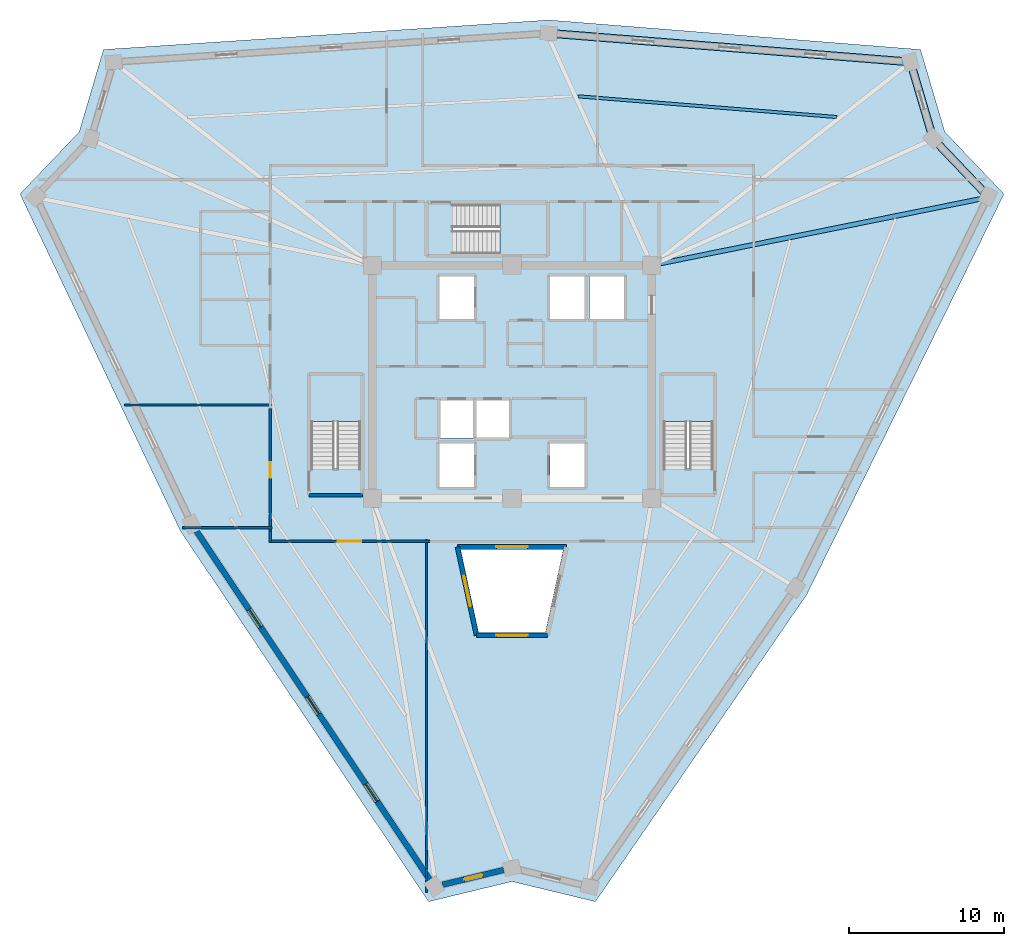
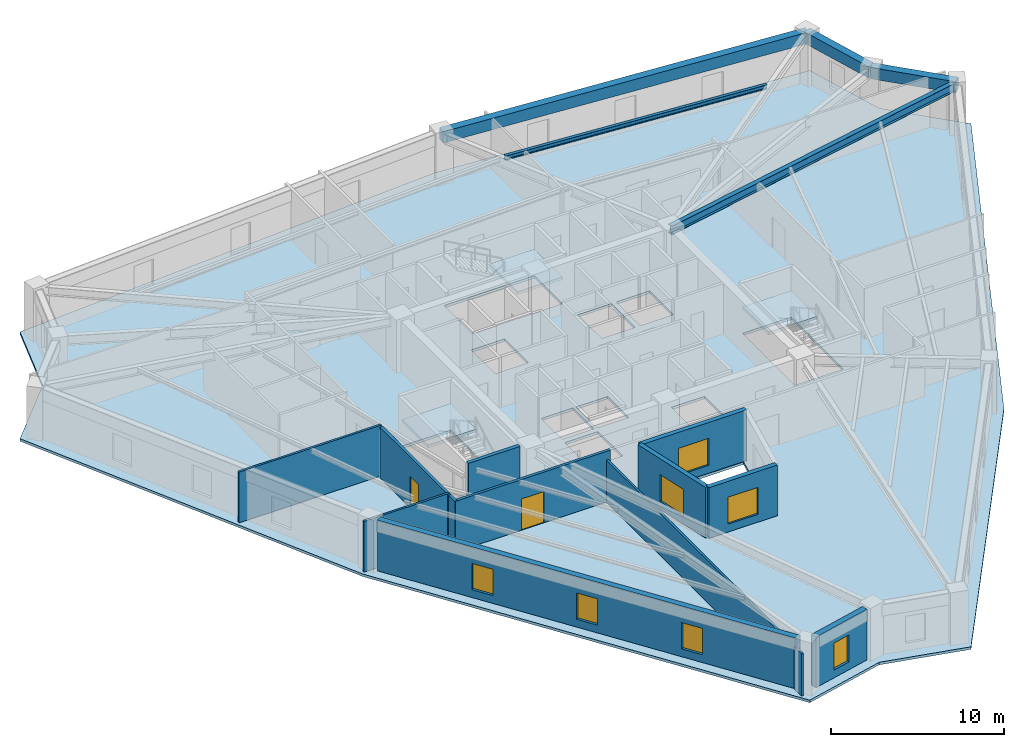
# One storey, part 2 of 8: 12 walls, 7 windows, 5 beams, 4 slabs, 2 doors, 9 openings, 3 elements without a shape of their own.
"""IFC4 building model written with IfcOpenShell, lengths in metres."""

from ifc_helpers import new_model, si_unit, direction, frame, frame_2d, origin, origin_2d, place, context, subcontext, project, spatial, polyline, rectangle, i_section, outline, extrude, source, transform, mapped, material, layer, layer_set, material_profile, profile_set, type_object, element, fill, aggregate, save


model = new_model("IFC4")

# Units and contexts
model_context = context("Model", 3, precision=1e-05, world=origin(), true_north=direction((0.0, 1.0)))
body_context = subcontext(model_context, "Body", "Model", "MODEL_VIEW")
ifc_project = project(units=[si_unit("LENGTHUNIT", "METRE"), si_unit("AREAUNIT", "SQUARE_METRE"), si_unit("VOLUMEUNIT", "CUBIC_METRE"), si_unit("PLANEANGLEUNIT", "RADIAN"), si_unit("MASSUNIT", "GRAM", prefix="KILO")], contexts=[model_context])

# Site, building, storey
site_placement = place(None, origin())
site = spatial("IfcSite", under=ifc_project, at=site_placement, CompositionType="ELEMENT")
building_placement = place(site_placement, origin())
building = spatial("IfcBuilding", under=site, at=building_placement, Name="Liaohun Quay Tower", CompositionType="ELEMENT")
storey_placement = place(building_placement, frame((0.0, 0.0, 294.0)))
storey = spatial("IfcBuildingStorey", under=building, at=storey_placement, Name="L76", CompositionType="ELEMENT", Elevation=294.0)

# Beams
ifc_material_1 = material(Name="Precast concrete C50", Category="concrete")
ifc_material_profile_1 = material_profile(ifc_material_1, rectangle(XDim=0.5, YDim=0.800048828125, at=origin_2d()), Name="RC500x800")
ifc_profile_set_1 = profile_set([ifc_material_profile_1], Name="Precast concrete C50")
beam_type_1 = type_object("IfcBeamType", Name="BM-SPD-Z4", PredefinedType="SPANDREL", material=ifc_profile_set_1)
shared_shape_1 = source(origin(), body_context, "Body", "SweptSolid", [
    extrude(rectangle(XDim=0.5, YDim=0.800048828125, at=origin_2d()), origin(), (0.0, 0.0, 1.0), 23.354248046875),
])
beam_1_placement = place(storey_placement, frame((62.360107421875, 76.427001953125, 3.169921875), z_axis=(0.99686058787, -0.079176817002, 0.0), x_axis=(0.079176817002, 0.99686058787, 0.0)))
element("IfcBeam", 1, at=beam_1_placement, inside=storey, type_object=beam_type_1, Name="L76 Precast Spandrel Beam PC06-PC07", PredefinedType="SPANDREL", context=body_context, shape_type="MappedRepresentation", body=[
    mapped(shared_shape_1, transform((0.0, 0.0, 0.0), x_axis=(1.0, 0.0, 0.0), y_axis=(0.0, 1.0, 0.0), z_axis=(0.0, 0.0, 1.0), scale=1.0)),
])
shared_shape_2 = source(origin(), body_context, "Body", "SweptSolid", [
    extrude(rectangle(XDim=0.5, YDim=0.800048828125, at=origin_2d()), origin(), (0.0, 0.0, 1.0), 5.143798828125),
])
beam_2_placement = place(storey_placement, frame((85.64111328125, 74.577880859375, 3.169921875), z_axis=(0.282829220503, -0.959170283125, 0.0), x_axis=(0.959170283125, 0.282829220503, 0.0)))
element("IfcBeam", 2, at=beam_2_placement, inside=storey, type_object=beam_type_1, Name="L76 Precast Spandrel Beam PC07-PC08", PredefinedType="SPANDREL", context=body_context, shape_type="MappedRepresentation", body=[
    mapped(shared_shape_2, transform((0.0, 0.0, 0.0), x_axis=(1.0, 0.0, 0.0), y_axis=(0.0, 1.0, 0.0), z_axis=(0.0, 0.0, 1.0), scale=1.0)),
])
shared_shape_3 = source(origin(), body_context, "Body", "SweptSolid", [
    extrude(rectangle(XDim=0.5, YDim=0.800048828125, at=origin_2d()), origin(), (0.0, 0.0, 1.0), 5.136474609375),
])
beam_3_placement = place(storey_placement, frame((87.095947265625, 69.64404296875, 3.169921875), z_axis=(0.689375027306, -0.724404632596, 0.0), x_axis=(0.724404632596, 0.689375027306, 0.0)))
element("IfcBeam", 3, at=beam_3_placement, inside=storey, type_object=beam_type_1, Name="L76 Precast Spandrel Beam PC08-PC09", PredefinedType="SPANDREL", context=body_context, shape_type="MappedRepresentation", body=[
    mapped(shared_shape_3, transform((0.0, 0.0, 0.0), x_axis=(1.0, 0.0, 0.0), y_axis=(0.0, 1.0, 0.0), z_axis=(0.0, 0.0, 1.0), scale=1.0)),
])
ifc_material_2 = material(Name="Steel Q355D", Category="steel")
ifc_material_profile_2 = material_profile(ifc_material_2, i_section(OverallWidth=0.300048828125, OverallDepth=0.587890625, WebThickness=0.011962890625, FlangeThickness=0.02001953125, at=origin_2d()), Name="HM588x300x12x20")
ifc_profile_set_2 = profile_set([ifc_material_profile_2], Name="Steel Q355D")
beam_type_2 = type_object("IfcBeamType", Name="BM-RAD-U2", PredefinedType="BEAM", material=ifc_profile_set_2)
shared_shape_4 = source(origin(), body_context, "Body", "SweptSolid", [
    extrude(i_section(OverallWidth=0.300048828125, OverallDepth=0.587890625, WebThickness=0.011962890625, FlangeThickness=0.02001953125, at=origin_2d()), origin(), (0.0, 0.0, 1.0), 21.7431640625),
])
beam_4_placement = place(storey_placement, frame((69.0, 61.5, 3.27587890625), z_axis=(0.980258491169, 0.197720232881, 0.0), x_axis=(-0.197720232881, 0.980258491169, 0.0)))
element("IfcBeam", 4, at=beam_4_placement, inside=storey, type_object=beam_type_2, Name="L76 Radial Primary Girder CC4-PC09", PredefinedType="BEAM", context=body_context, shape_type="MappedRepresentation", body=[
    mapped(shared_shape_4, transform((0.0, 0.0, 0.0), x_axis=(1.0, 0.0, 0.0), y_axis=(0.0, 1.0, 0.0), z_axis=(0.0, 0.0, 1.0), scale=1.0)),
])
ifc_material_profile_3 = material_profile(ifc_material_2, i_section(OverallWidth=0.199951171875, OverallDepth=0.2939453125, WebThickness=0.008056640625, FlangeThickness=0.011962890625, at=origin_2d()), Name="HM294x200x8x12")
ifc_profile_set_3 = profile_set([ifc_material_profile_3], Name="Steel Q355D")
beam_type_3 = type_object("IfcBeamType", Name="BM-SEC-J4", PredefinedType="JOIST", material=ifc_profile_set_3)
shared_shape_5 = source(origin(), body_context, "Body", "SweptSolid", [
    extrude(i_section(OverallWidth=0.199951171875, OverallDepth=0.2939453125, WebThickness=0.008056640625, FlangeThickness=0.011962890625, at=origin_2d()), origin(), (0.0, 0.0, 1.0), 16.709228515625),
])
beam_5_placement = place(storey_placement, frame((64.239990234375, 72.368896484375, 3.423095703125), z_axis=(0.996808119999, -0.079834653528, 0.0), x_axis=(0.079834653528, 0.996808119999, 0.0)))
element("IfcBeam", 5, at=beam_5_placement, inside=storey, type_object=beam_type_3, Name="L76 Wing Secondary Floor Joist SJ-09", PredefinedType="JOIST", context=body_context, shape_type="MappedRepresentation", body=[
    mapped(shared_shape_5, transform((0.0, 0.0, 0.0), x_axis=(1.0, 0.0, 0.0), y_axis=(0.0, 1.0, 0.0), z_axis=(0.0, 0.0, 1.0), scale=1.0)),
])

# Stair, slab
ifc_material_3 = material(Name="Concrete C45", Category="concrete")
stair_type = type_object("IfcStairType", Name="STR-CORE-OFF", PredefinedType="HALF_TURN_STAIR", material=ifc_material_3)
stair_1_placement = place(storey_placement, origin())
stair_1 = element("IfcStair", 6, at=stair_1_placement, inside=storey, type_object=stair_type, Name="L76 Smokeproof Core Exit Stair ST-1", PredefinedType="HALF_TURN_STAIR")
ifc_layer_1 = layer(ifc_material_3, 0.199951171875, Name="Concrete C45", Category="concrete")
ifc_layer_set_1 = layer_set([ifc_layer_1], Name="Concrete C45")
slab_type_1 = type_object("IfcSlabType", Name="SLB-LND-200", PredefinedType="LANDING", material=ifc_layer_set_1)
slab_1_placement = place(storey_placement, frame((0.0, 0.0, 1.675048828125)))
slab_1 = element("IfcSlab", 7, at=slab_1_placement, type_object=slab_type_1, Name="ST-1 landing 1", PredefinedType="LANDING", context=body_context, shape_type="SweptSolid", body=[
    extrude(outline(polyline([(50.280029296875, 51.429931640625), (50.280029296875, 54.419921875), (47.0400390625, 54.419921875), (47.0400390625, 51.429931640625), (50.280029296875, 51.429931640625)])), origin(), (0.0, 0.0, 1.0), 0.199951171875),
])
aggregate(stair_1, [slab_1])

stair_2_placement = place(storey_placement, origin())
stair_2 = element("IfcStair", 8, at=stair_2_placement, inside=storey, type_object=stair_type, Name="L76 Smokeproof Core Exit Stair ST-2", PredefinedType="HALF_TURN_STAIR")
slab_2_placement = place(storey_placement, frame((0.0, 0.0, 1.675048828125)))
slab_2 = element("IfcSlab", 9, at=slab_2_placement, type_object=slab_type_1, Name="ST-2 landing 1", PredefinedType="LANDING", context=body_context, shape_type="SweptSolid", body=[
    extrude(outline(polyline([(72.9599609375, 51.429931640625), (72.9599609375, 54.419921875), (69.719970703125, 54.419921875), (69.719970703125, 51.429931640625), (72.9599609375, 51.429931640625)])), origin(), (0.0, 0.0, 1.0), 0.199951171875),
])
aggregate(stair_2, [slab_2])

stair_3_placement = place(storey_placement, origin())
stair_3 = element("IfcStair", 10, at=stair_3_placement, inside=storey, type_object=stair_type, Name="L76 Smokeproof Core Exit Stair ST-3", PredefinedType="HALF_TURN_STAIR")
slab_3_placement = place(storey_placement, frame((0.0, 0.0, 1.675048828125)))
slab_3 = element("IfcSlab", 11, at=slab_3_placement, type_object=slab_type_1, Name="ST-3 landing 1", PredefinedType="LANDING", context=body_context, shape_type="SweptSolid", body=[
    extrude(outline(polyline([(59.22998046875, 62.199951171875), (62.219970703125, 62.199951171875), (62.219970703125, 65.43994140625), (59.22998046875, 65.43994140625), (59.22998046875, 62.199951171875)])), origin(), (0.0, 0.0, 1.0), 0.199951171875),
])
aggregate(stair_3, [slab_3])

# Slab
ifc_layer_2 = layer(ifc_material_3, 0.179931640625, Name="Concrete C45", Category="concrete")
ifc_layer_set_2 = layer_set([ifc_layer_2], Name="Concrete C45")
slab_type_2 = type_object("IfcSlabType", Name="SLB-OFF-180", PredefinedType="FLOOR", material=ifc_layer_set_2)
slab_4_placement = place(storey_placement, frame((0.0, 0.0, -0.179931640625)))
element("IfcSlab", 12, at=slab_4_placement, inside=storey, type_object=slab_type_2, Name="L76 Structural Floor Slab", PredefinedType="FLOOR", context=body_context, shape_type="SweptSolid", body=[
    extrude(outline(polyline([(54.631103515625, 20.5419921875), (60.0, 21.837890625), (65.368896484375, 20.5419921875), (78.97705078125, 40.31103515625), (91.660888671875, 66.0791015625), (87.85302734375, 70.0810546875), (86.291015625, 75.37890625), (62.365966796875, 77.279052734375), (33.708984375, 75.37890625), (32.14697265625, 70.0810546875), (28.339111328125, 66.0791015625), (38.656005859375, 44.409912109375), (54.631103515625, 20.5419921875)]), holes=[polyline([(57.56005859375, 50.030029296875), (55.340087890625, 50.030029296875), (55.340087890625, 47.2099609375), (57.56005859375, 47.2099609375), (57.56005859375, 50.030029296875)]), polyline([(47.0400390625, 54.419921875), (47.0400390625, 48.409912109375), (50.280029296875, 48.409912109375), (50.280029296875, 54.419921875), (47.0400390625, 54.419921875)]), polyline([(57.510009765625, 52.81005859375), (55.389892578125, 52.81005859375), (55.389892578125, 50.389892578125), (57.510009765625, 50.389892578125), (57.510009765625, 52.81005859375)]), polyline([(59.81005859375, 50.389892578125), (59.81005859375, 52.81005859375), (57.68994140625, 52.81005859375), (57.68994140625, 50.389892578125), (59.81005859375, 50.389892578125)]), polyline([(57.56005859375, 58.0400390625), (57.56005859375, 60.7900390625), (55.340087890625, 60.7900390625), (55.340087890625, 58.0400390625), (57.56005859375, 58.0400390625)]), polyline([(62.219970703125, 65.43994140625), (56.2099609375, 65.43994140625), (56.2099609375, 62.199951171875), (62.219970703125, 62.199951171875), (62.219970703125, 65.43994140625)]), polyline([(62.14599609375, 37.85498046875), (63.301025390625, 43.199951171875), (56.698974609375, 43.199951171875), (57.85400390625, 37.85498046875), (62.14599609375, 37.85498046875)]), polyline([(64.659912109375, 47.2099609375), (64.659912109375, 50.030029296875), (62.43994140625, 50.030029296875), (62.43994140625, 47.2099609375), (64.659912109375, 47.2099609375)]), polyline([(69.719970703125, 54.419921875), (69.719970703125, 48.409912109375), (72.9599609375, 48.409912109375), (72.9599609375, 54.419921875), (69.719970703125, 54.419921875)]), polyline([(64.659912109375, 58.0400390625), (64.659912109375, 60.7900390625), (62.43994140625, 60.7900390625), (62.43994140625, 58.0400390625), (64.659912109375, 58.0400390625)]), polyline([(67.2099609375, 58.0400390625), (67.2099609375, 60.7900390625), (64.989990234375, 60.7900390625), (64.989990234375, 58.0400390625), (67.2099609375, 58.0400390625)])]), origin(), (0.0, 0.0, 1.0), 0.179931640625),
])

# Wall, opening, window
ifc_material_4 = material(Name="Concrete C50", Category="concrete")
ifc_layer_3 = layer(ifc_material_4, 0.300048828125, Name="Concrete C50", Category="concrete")
ifc_layer_set_3 = layer_set([ifc_layer_3], Name="Concrete C50")
wall_type_1 = type_object("IfcWallType", Name="WAL-ATR-300", PredefinedType="SOLIDWALL", material=ifc_layer_set_3)
wall_1_placement = place(storey_placement, frame((57.717041015625, 37.68505859375, 0.0), z_axis=(0.0, 0.0, 1.0), x_axis=(-0.211300278916, 0.977421194844, 0.0)))
wall_1 = element("IfcWall", 13, at=wall_1_placement, inside=storey, type_object=wall_type_1, Name="L76 Atrium Fire Compartment Wall 1", PredefinedType="SOLIDWALL", context=body_context, shape_type="SweptSolid", body=[
    extrude(rectangle(XDim=5.81640625, YDim=0.300048828125, at=frame_2d((2.908203125, 0.0))), origin(), (0.0, 0.0, 1.0), 3.570068359375),
])
shared_shape_6 = source(origin(), body_context, "Body", "SweptSolid", [
    extrude(rectangle(XDim=2.0, YDim=1.89990234375, at=frame_2d((1.0, 0.949951171875))), frame((0.0, 0.159912109375, 0.0), z_axis=(0.0, -1.0, 0.0), x_axis=(1.0, 0.0, 0.0)), (0.0, 0.0, 1.0), 0.320068359375),
])
opening_1_placement = place(wall_1_placement, frame((1.907958984375, 0.0, 0.550048828125)))
opening_1 = element("IfcOpeningElement", 14, at=opening_1_placement, cuts=wall_1, Name="Opening W07", PredefinedType="OPENING", context=body_context, shape_type="MappedRepresentation", body=[
    mapped(shared_shape_6, transform((0.0, 0.0, 0.0), x_axis=(1.0, 0.0, 0.0), y_axis=(0.0, 1.0, 0.0), z_axis=(0.0, 0.0, 1.0), scale=1.0)),
])
ifc_material_5 = material(Name="Class A 180-min fire-resistant insulated glazing", Category="glass")
window_type_1 = type_object("IfcWindowType", Name="WIN-ATR-FIR", PartitioningType="DOUBLE_PANEL_VERTICAL", PredefinedType="WINDOW", material=ifc_material_5)
shared_shape_7 = source(origin(), body_context, "Body", "SweptSolid", [
    extrude(rectangle(XDim=2.0, YDim=1.89990234375, at=frame_2d((1.0, 0.949951171875))), frame((0.0, 0.030029296875, 0.0), z_axis=(0.0, -1.0, 0.0), x_axis=(1.0, 0.0, 0.0)), (0.0, 0.0, 1.0), 0.06005859375),
])
window_1_placement = place(opening_1_placement, origin())
window_1 = element("IfcWindow", 15, at=window_1_placement, inside=storey, type_object=window_type_1, Name="L76 Atrium Fire-Resistant Glazing W07-1", OverallHeight=1.89990234375, OverallWidth=2.0, PartitioningType="DOUBLE_PANEL_VERTICAL", PredefinedType="WINDOW", context=body_context, shape_type="MappedRepresentation", body=[
    mapped(shared_shape_7, transform((0.0, 0.0, 0.0), x_axis=(1.0, 0.0, 0.0), y_axis=(0.0, 1.0, 0.0), z_axis=(0.0, 0.0, 1.0), scale=1.0)),
])
fill(opening_1, window_1)

wall_2_placement = place(storey_placement, frame((56.488037109375, 43.3701171875, 0.0), z_axis=(0.0, 0.0, 1.0), x_axis=(1.0, 0.0, 0.0)))
wall_2 = element("IfcWall", 16, at=wall_2_placement, inside=storey, type_object=wall_type_1, Name="L76 Atrium Fire Compartment Wall 2", PredefinedType="SOLIDWALL", context=body_context, shape_type="SweptSolid", body=[
    extrude(rectangle(XDim=7.02392578125, YDim=0.300048828125, at=frame_2d((3.511962890625, 0.0))), origin(), (0.0, 0.0, 1.0), 3.570068359375),
])
opening_2_placement = place(wall_2_placement, frame((2.511962890625, 0.0, 0.550048828125)))
opening_2 = element("IfcOpeningElement", 17, at=opening_2_placement, cuts=wall_2, Name="Opening W07", PredefinedType="OPENING", context=body_context, shape_type="MappedRepresentation", body=[
    mapped(shared_shape_6, transform((0.0, 0.0, 0.0), x_axis=(1.0, 0.0, 0.0), y_axis=(0.0, 1.0, 0.0), z_axis=(0.0, 0.0, 1.0), scale=1.0)),
])
window_2_placement = place(opening_2_placement, origin())
window_2 = element("IfcWindow", 18, at=window_2_placement, inside=storey, type_object=window_type_1, Name="L76 Atrium Fire-Resistant Glazing W07-2", OverallHeight=1.89990234375, OverallWidth=2.0, PartitioningType="DOUBLE_PANEL_VERTICAL", PredefinedType="WINDOW", context=body_context, shape_type="MappedRepresentation", body=[
    mapped(shared_shape_7, transform((0.0, 0.0, 0.0), x_axis=(1.0, 0.0, 0.0), y_axis=(0.0, 1.0, 0.0), z_axis=(0.0, 0.0, 1.0), scale=1.0)),
])
fill(opening_2, window_2)

wall_3_placement = place(storey_placement, frame((62.282958984375, 37.68505859375, 0.0), z_axis=(0.0, 0.0, 1.0), x_axis=(-1.0, 0.0, 0.0)))
wall_3 = element("IfcWall", 19, at=wall_3_placement, inside=storey, type_object=wall_type_1, Name="L76 Atrium Fire Compartment Wall 4", PredefinedType="SOLIDWALL", context=body_context, shape_type="SweptSolid", body=[
    extrude(rectangle(XDim=4.56591796875, YDim=0.300048828125, at=frame_2d((2.282958984375, 0.0))), origin(), (0.0, 0.0, 1.0), 3.570068359375),
])
opening_3_placement = place(wall_3_placement, frame((1.282958984375, 0.0, 0.550048828125)))
opening_3 = element("IfcOpeningElement", 20, at=opening_3_placement, cuts=wall_3, Name="Opening W07", PredefinedType="OPENING", context=body_context, shape_type="MappedRepresentation", body=[
    mapped(shared_shape_6, transform((0.0, 0.0, 0.0), x_axis=(1.0, 0.0, 0.0), y_axis=(0.0, 1.0, 0.0), z_axis=(0.0, 0.0, 1.0), scale=1.0)),
])
window_3_placement = place(opening_3_placement, origin())
window_3 = element("IfcWindow", 21, at=window_3_placement, inside=storey, type_object=window_type_1, Name="L76 Atrium Fire-Resistant Glazing W07-4", OverallHeight=1.89990234375, OverallWidth=2.0, PartitioningType="DOUBLE_PANEL_VERTICAL", PredefinedType="WINDOW", context=body_context, shape_type="MappedRepresentation", body=[
    mapped(shared_shape_7, transform((0.0, 0.0, 0.0), x_axis=(1.0, 0.0, 0.0), y_axis=(0.0, 1.0, 0.0), z_axis=(0.0, 0.0, 1.0), scale=1.0)),
])
fill(opening_3, window_3)

# Wall, openings, windows
ifc_material_6 = material(Name="Precast concrete C50 insulated sandwich", Category="concrete")
ifc_layer_4 = layer(ifc_material_6, 0.3798828125, Name="Precast concrete C50 insulated sandwich", Category="concrete")
ifc_layer_set_4 = layer_set([ifc_layer_4], Name="Precast concrete C50 insulated sandwich")
wall_type_2 = type_object("IfcWallType", Name="WAL-EXT-Z34", PredefinedType="SOLIDWALL", material=ifc_layer_set_4)
wall_4_placement = place(storey_placement, frame((39.697021484375, 44.382080078125, 0.0), z_axis=(0.0, 0.0, 1.0), x_axis=(0.556246250685, -0.831017514014, 0.0)))
wall_4 = element("IfcWall", 22, at=wall_4_placement, inside=storey, type_object=wall_type_2, Name="L76 Brutalist Precast Pier Wall 11", PredefinedType="SOLIDWALL", context=body_context, shape_type="SweptSolid", body=[
    extrude(rectangle(XDim=26.986328125, YDim=0.3798828125, at=frame_2d((13.4931640625, 0.0))), origin(), (0.0, 0.0, 1.0), 3.570068359375),
])
shared_shape_8 = source(origin(), body_context, "Body", "SweptSolid", [
    extrude(rectangle(XDim=1.35009765625, YDim=1.85009765625, at=frame_2d((0.675048828125, 0.925048828125))), frame((0.0, 0.199951171875, 0.0), z_axis=(0.0, -1.0, 0.0), x_axis=(1.0, 0.0, 0.0)), (0.0, 0.0, 1.0), 0.39990234375),
])
opening_4_placement = place(wall_4_placement, frame((6.072021484375, 0.0, 0.550048828125)))
opening_4 = element("IfcOpeningElement", 23, at=opening_4_placement, cuts=wall_4, Name="Opening W04", PredefinedType="OPENING", context=body_context, shape_type="MappedRepresentation", body=[
    mapped(shared_shape_8, transform((0.0, 0.0, 0.0), x_axis=(1.0, 0.0, 0.0), y_axis=(0.0, 1.0, 0.0), z_axis=(0.0, 0.0, 1.0), scale=1.0)),
])
opening_5_placement = place(wall_4_placement, frame((12.818115234375, 0.0, 0.550048828125)))
opening_5 = element("IfcOpeningElement", 24, at=opening_5_placement, cuts=wall_4, Name="Opening W04", PredefinedType="OPENING", context=body_context, shape_type="MappedRepresentation", body=[
    mapped(shared_shape_8, transform((0.0, 0.0, 0.0), x_axis=(1.0, 0.0, 0.0), y_axis=(0.0, 1.0, 0.0), z_axis=(0.0, 0.0, 1.0), scale=1.0)),
])
opening_6_placement = place(wall_4_placement, frame((19.56494140625, 0.0, 0.550048828125)))
opening_6 = element("IfcOpeningElement", 25, at=opening_6_placement, cuts=wall_4, Name="Opening W04", PredefinedType="OPENING", context=body_context, shape_type="MappedRepresentation", body=[
    mapped(shared_shape_8, transform((0.0, 0.0, 0.0), x_axis=(1.0, 0.0, 0.0), y_axis=(0.0, 1.0, 0.0), z_axis=(0.0, 0.0, 1.0), scale=1.0)),
])
ifc_material_7 = material(Name="Triple Low-E argon glazing in thermally broken aluminium", Category="aluminium")
window_type_2 = type_object("IfcWindowType", Name="WIN-PUN-Z4", PartitioningType="SINGLE_PANEL", PredefinedType="WINDOW", material=ifc_material_7)
shared_shape_9 = source(origin(), body_context, "Body", "SweptSolid", [
    extrude(rectangle(XDim=1.35009765625, YDim=1.85009765625, at=frame_2d((0.675048828125, 0.925048828125))), frame((0.0, 0.030029296875, 0.0), z_axis=(0.0, -1.0, 0.0), x_axis=(1.0, 0.0, 0.0)), (0.0, 0.0, 1.0), 0.06005859375),
])
window_4_placement = place(opening_4_placement, origin())
window_4 = element("IfcWindow", 26, at=window_4_placement, inside=storey, type_object=window_type_2, Name="L76 Recessed Cold-Climate Punched Window 11-1", OverallHeight=1.85009765625, OverallWidth=1.35009765625, PartitioningType="SINGLE_PANEL", PredefinedType="WINDOW", context=body_context, shape_type="MappedRepresentation", body=[
    mapped(shared_shape_9, transform((0.0, 0.0, 0.0), x_axis=(1.0, 0.0, 0.0), y_axis=(0.0, 1.0, 0.0), z_axis=(0.0, 0.0, 1.0), scale=1.0)),
])
fill(opening_4, window_4)
window_5_placement = place(opening_5_placement, origin())
window_5 = element("IfcWindow", 27, at=window_5_placement, inside=storey, type_object=window_type_2, Name="L76 Recessed Cold-Climate Punched Window 11-2", OverallHeight=1.85009765625, OverallWidth=1.35009765625, PartitioningType="SINGLE_PANEL", PredefinedType="WINDOW", context=body_context, shape_type="MappedRepresentation", body=[
    mapped(shared_shape_9, transform((0.0, 0.0, 0.0), x_axis=(1.0, 0.0, 0.0), y_axis=(0.0, 1.0, 0.0), z_axis=(0.0, 0.0, 1.0), scale=1.0)),
])
fill(opening_5, window_5)
window_6_placement = place(opening_6_placement, origin())
window_6 = element("IfcWindow", 28, at=window_6_placement, inside=storey, type_object=window_type_2, Name="L76 Recessed Cold-Climate Punched Window 11-3", OverallHeight=1.85009765625, OverallWidth=1.35009765625, PartitioningType="SINGLE_PANEL", PredefinedType="WINDOW", context=body_context, shape_type="MappedRepresentation", body=[
    mapped(shared_shape_9, transform((0.0, 0.0, 0.0), x_axis=(1.0, 0.0, 0.0), y_axis=(0.0, 1.0, 0.0), z_axis=(0.0, 0.0, 1.0), scale=1.0)),
])
fill(opening_6, window_6)

# Wall, opening, window
wall_5_placement = place(storey_placement, frame((55.532958984375, 21.634033203125, 0.0), z_axis=(0.0, 0.0, 1.0), x_axis=(0.972117237932, 0.234495363953, 0.0)))
wall_5 = element("IfcWall", 29, at=wall_5_placement, inside=storey, type_object=wall_type_2, Name="L76 Brutalist Precast Pier Wall 12", PredefinedType="SOLIDWALL", context=body_context, shape_type="SweptSolid", body=[
    extrude(rectangle(XDim=4.05517578125, YDim=0.3798828125, at=frame_2d((2.027587890625, 0.0))), origin(), (0.0, 0.0, 1.0), 3.570068359375),
])
shared_shape_10 = source(origin(), body_context, "Body", "SweptSolid", [
    extrude(rectangle(XDim=1.199951171875, YDim=1.89990234375, at=frame_2d((0.60009765625, 0.949951171875))), frame((0.0, 0.199951171875, 0.0), z_axis=(0.0, -1.0, 0.0), x_axis=(1.0, 0.0, 0.0)), (0.0, 0.0, 1.0), 0.39990234375),
])
opening_7_placement = place(wall_5_placement, frame((1.427978515625, 0.0, 0.550048828125)))
opening_7 = element("IfcOpeningElement", 30, at=opening_7_placement, cuts=wall_5, Name="Opening W05", PredefinedType="OPENING", context=body_context, shape_type="MappedRepresentation", body=[
    mapped(shared_shape_10, transform((0.0, 0.0, 0.0), x_axis=(1.0, 0.0, 0.0), y_axis=(0.0, 1.0, 0.0), z_axis=(0.0, 0.0, 1.0), scale=1.0)),
])
ifc_material_8 = material(Name="Triple Low-E corner notch glazing", Category="glass")
window_type_3 = type_object("IfcWindowType", Name="WIN-NOTCH", PartitioningType="SINGLE_PANEL", PredefinedType="WINDOW", material=ifc_material_8)
shared_shape_11 = source(origin(), body_context, "Body", "SweptSolid", [
    extrude(rectangle(XDim=1.199951171875, YDim=1.89990234375, at=frame_2d((0.60009765625, 0.949951171875))), frame((0.0, 0.030029296875, 0.0), z_axis=(0.0, -1.0, 0.0), x_axis=(1.0, 0.0, 0.0)), (0.0, 0.0, 1.0), 0.06005859375),
])
window_7_placement = place(opening_7_placement, origin())
window_7 = element("IfcWindow", 31, at=window_7_placement, inside=storey, type_object=window_type_3, Name="L76 Corner Notch Window W05-12", OverallHeight=1.89990234375, OverallWidth=1.199951171875, PartitioningType="SINGLE_PANEL", PredefinedType="WINDOW", context=body_context, shape_type="MappedRepresentation", body=[
    mapped(shared_shape_11, transform((0.0, 0.0, 0.0), x_axis=(1.0, 0.0, 0.0), y_axis=(0.0, 1.0, 0.0), z_axis=(0.0, 0.0, 1.0), scale=1.0)),
])
fill(opening_7, window_7)

# Wall, opening, door
ifc_material_9 = material(Name="Autoclaved aerated concrete blockwork", Category="masonry")
ifc_layer_5 = layer(ifc_material_9, 0.179931640625, Name="Autoclaved aerated concrete blockwork", Category="masonry")
ifc_layer_set_5 = layer_set([ifc_layer_5], Name="Autoclaved aerated concrete blockwork")
wall_type_3 = type_object("IfcWallType", Name="WAL-PRT-COR", PredefinedType="PARTITIONING", material=ifc_layer_set_5)
wall_6_placement = place(storey_placement, frame((44.43994140625, 44.385009765625, 0.0), z_axis=(0.0, 0.0, 1.0), x_axis=(0.0, 1.0, 0.0)))
wall_6 = element("IfcWall", 32, at=wall_6_placement, inside=storey, type_object=wall_type_3, Name="L76 Interior Partition Wall 024", PredefinedType="PARTITIONING", context=body_context, shape_type="SweptSolid", body=[
    extrude(rectangle(XDim=7.89990234375, YDim=0.179931640625, at=frame_2d((3.949951171875, 0.0))), origin(), (0.0, 0.0, 1.0), 3.570068359375),
])
shared_shape_12 = source(origin(), body_context, "Body", "SweptSolid", [
    extrude(rectangle(XDim=1.0, YDim=2.199951171875, at=frame_2d((0.5, 1.10009765625))), frame((0.0, 0.099853515625, 0.0), z_axis=(0.0, -1.0, 0.0), x_axis=(1.0, 0.0, 0.0)), (0.0, 0.0, 1.0), 0.199951171875),
])
opening_8_placement = place(wall_6_placement, frame((3.449951171875, 0.0, 0.0)))
opening_8 = element("IfcOpeningElement", 33, at=opening_8_placement, cuts=wall_6, Name="Opening OD1", PredefinedType="OPENING", context=body_context, shape_type="MappedRepresentation", body=[
    mapped(shared_shape_12, transform((0.0, 0.0, 0.0), x_axis=(1.0, 0.0, 0.0), y_axis=(0.0, 1.0, 0.0), z_axis=(0.0, 0.0, 1.0), scale=1.0)),
])
ifc_material_10 = material(Name="Solid-core oak veneer timber leaf in steel frame", Category="steel")
door_type_1 = type_object("IfcDoorType", Name="DOR-OFF-1000", OperationType="NOTDEFINED", PredefinedType="DOOR", material=ifc_material_10)
shared_shape_13 = source(origin(), body_context, "Body", "SweptSolid", [
    extrude(rectangle(XDim=1.0, YDim=2.199951171875, at=frame_2d((0.5, 1.10009765625))), frame((0.0, 0.02490234375, 0.0), z_axis=(0.0, -1.0, 0.0), x_axis=(1.0, 0.0, 0.0)), (0.0, 0.0, 1.0), 0.050048828125),
])
door_1_placement = place(opening_8_placement, origin())
door_1 = element("IfcDoor", 34, at=door_1_placement, inside=storey, type_object=door_type_1, Name="L76 Staff Tea Kitchen and Pantry 06 Door", OperationType="SINGLE_SWING_RIGHT", OverallHeight=2.199951171875, OverallWidth=1.0, PredefinedType="DOOR", context=body_context, shape_type="MappedRepresentation", body=[
    mapped(shared_shape_13, transform((0.0, 0.0, 0.0), x_axis=(1.0, 0.0, 0.0), y_axis=(0.0, 1.0, 0.0), z_axis=(0.0, 0.0, 1.0), scale=1.0)),
])
fill(opening_8, door_1)

wall_7_placement = place(storey_placement, frame((54.715087890625, 43.739990234375, 0.0), z_axis=(0.0, 0.0, 1.0), x_axis=(-1.0, 0.0, 0.0)))
wall_7 = element("IfcWall", 35, at=wall_7_placement, inside=storey, type_object=wall_type_3, Name="L76 Interior Partition Wall 025", PredefinedType="PARTITIONING", context=body_context, shape_type="SweptSolid", body=[
    extrude(rectangle(XDim=10.344970703125, YDim=0.179931640625, at=frame_2d((5.17236328125, 0.0))), origin(), (0.0, 0.0, 1.0), 3.570068359375),
])
shared_shape_14 = source(origin(), body_context, "Body", "SweptSolid", [
    extrude(rectangle(XDim=1.5, YDim=2.199951171875, at=frame_2d((0.75, 1.10009765625))), frame((0.0, 0.099853515625, 0.0), z_axis=(0.0, -1.0, 0.0), x_axis=(1.0, 0.0, 0.0)), (0.0, 0.0, 1.0), 0.199951171875),
])
opening_9_placement = place(wall_7_placement, frame((4.423095703125, 0.0, 0.0)))
opening_9 = element("IfcOpeningElement", 36, at=opening_9_placement, cuts=wall_7, Name="Opening OD2", PredefinedType="OPENING", context=body_context, shape_type="MappedRepresentation", body=[
    mapped(shared_shape_14, transform((0.0, 0.0, 0.0), x_axis=(1.0, 0.0, 0.0), y_axis=(0.0, 1.0, 0.0), z_axis=(0.0, 0.0, 1.0), scale=1.0)),
])
ifc_material_11 = material(Name="Acoustic oak veneer double door")
door_type_2 = type_object("IfcDoorType", Name="DOR-OFF-1500", OperationType="DOUBLE_DOOR_SINGLE_SWING", PredefinedType="DOOR", material=ifc_material_11)
shared_shape_15 = source(origin(), body_context, "Body", "SweptSolid", [
    extrude(rectangle(XDim=1.5, YDim=2.199951171875, at=frame_2d((0.75, 1.10009765625))), frame((0.0, 0.02490234375, 0.0), z_axis=(0.0, -1.0, 0.0), x_axis=(1.0, 0.0, 0.0)), (0.0, 0.0, 1.0), 0.050048828125),
])
door_2_placement = place(opening_9_placement, origin())
door_2 = element("IfcDoor", 37, at=door_2_placement, inside=storey, type_object=door_type_2, Name="L76 Engineering Model Workshop 07 Door", OperationType="DOUBLE_DOOR_SINGLE_SWING", OverallHeight=2.199951171875, OverallWidth=1.5, PredefinedType="DOOR", context=body_context, shape_type="MappedRepresentation", body=[
    mapped(shared_shape_15, transform((0.0, 0.0, 0.0), x_axis=(1.0, 0.0, 0.0), y_axis=(0.0, 1.0, 0.0), z_axis=(0.0, 0.0, 1.0), scale=1.0)),
])
fill(opening_9, door_2)

# Walls
wall_8_placement = place(storey_placement, frame((44.43994140625, 43.669921875, 0.0), z_axis=(0.0, 0.0, 1.0), x_axis=(0.0, 1.0, 0.0)))
element("IfcWall", 38, at=wall_8_placement, inside=storey, type_object=wall_type_3, Name="L76 Interior Partition Wall 051", PredefinedType="PARTITIONING", context=body_context, shape_type="SweptSolid", body=[
    extrude(rectangle(XDim=0.715087890625, YDim=0.179931640625, at=frame_2d((0.357421875, 0.0))), origin(), (0.0, 0.0, 1.0), 3.570068359375),
])
ifc_material_12 = material(Name="Gypsum board on twin steel studs", Category="steel")
ifc_layer_6 = layer(ifc_material_12, 0.139892578125, Name="Gypsum board on twin steel studs", Category="steel")
ifc_layer_set_6 = layer_set([ifc_layer_6], Name="Gypsum board on twin steel studs")
wall_type_4 = type_object("IfcWallType", Name="WAL-PRT-OFF", PredefinedType="PARTITIONING", material=ifc_layer_set_6)
wall_9_placement = place(storey_placement, frame((44.5400390625, 44.60009765625, 0.0), z_axis=(0.0, 0.0, 1.0), x_axis=(-1.0, 0.0, 0.0)))
element("IfcWall", 39, at=wall_9_placement, inside=storey, type_object=wall_type_4, Name="L76 Interior Partition Wall 055", PredefinedType="PARTITIONING", context=body_context, shape_type="SweptSolid", body=[
    extrude(rectangle(XDim=5.73095703125, YDim=0.139892578125, at=frame_2d((2.865478515625, 0.0))), origin(), (0.0, 0.0, 1.0), 3.570068359375),
])
wall_10_placement = place(storey_placement, frame((44.5400390625, 52.5, 0.0), z_axis=(0.0, 0.0, 1.0), x_axis=(-1.0, 0.0, 0.0)))
element("IfcWall", 40, at=wall_10_placement, inside=storey, type_object=wall_type_4, Name="L76 Interior Partition Wall 056", PredefinedType="PARTITIONING", context=body_context, shape_type="SweptSolid", body=[
    extrude(rectangle(XDim=9.491943359375, YDim=0.139892578125, at=frame_2d((4.74609375, 0.0))), origin(), (0.0, 0.0, 1.0), 3.570068359375),
])
wall_11_placement = place(storey_placement, frame((54.5, 43.840087890625, 0.0), z_axis=(0.0, 0.0, 1.0), x_axis=(0.0, -1.0, 0.0)))
element("IfcWall", 41, at=wall_11_placement, inside=storey, type_object=wall_type_4, Name="L76 Interior Partition Wall 062", PredefinedType="PARTITIONING", context=body_context, shape_type="SweptSolid", body=[
    extrude(rectangle(XDim=22.70703125, YDim=0.139892578125, at=frame_2d((11.353515625, 0.0))), origin(), (0.0, 0.0, 1.0), 2.967041015625),
])
ifc_layer_7 = layer(ifc_material_4, 0.239990234375, Name="Concrete C50", Category="concrete")
ifc_layer_set_7 = layer_set([ifc_layer_7], Name="Concrete C50")
wall_type_5 = type_object("IfcWallType", Name="WAL-SHF-200", PredefinedType="SOLIDWALL", material=ifc_layer_set_7)
wall_12_placement = place(storey_placement, frame((46.93994140625, 46.699951171875, 0.0), z_axis=(0.0, 0.0, 1.0), x_axis=(1.0, 0.0, 0.0)))
element("IfcWall", 42, at=wall_12_placement, inside=storey, type_object=wall_type_5, Name="L76 Stairwell ST-1 Structural Core Wall S", PredefinedType="SOLIDWALL", context=body_context, shape_type="SweptSolid", body=[
    extrude(rectangle(XDim=3.43994140625, YDim=0.239990234375, at=frame_2d((1.719970703125, 0.0))), origin(), (0.0, 0.0, 1.0), 3.570068359375),
])

save(model, "model.ifc")
